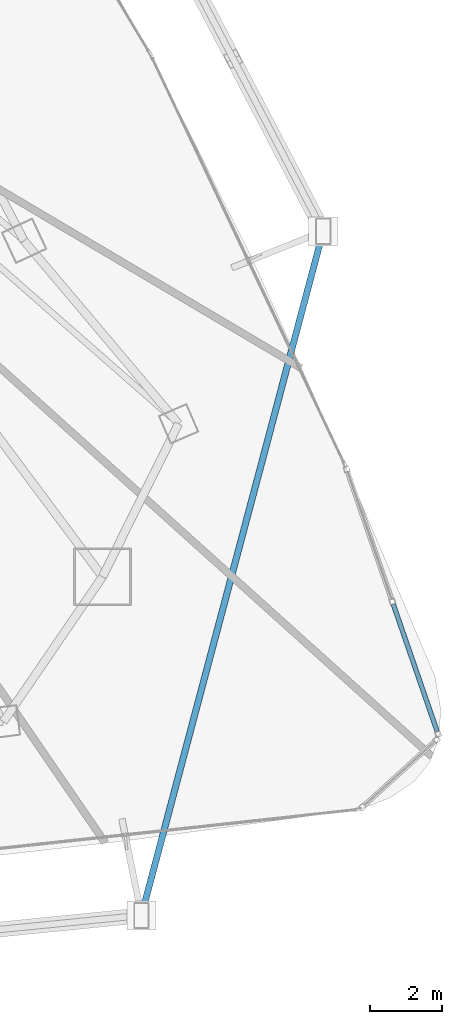
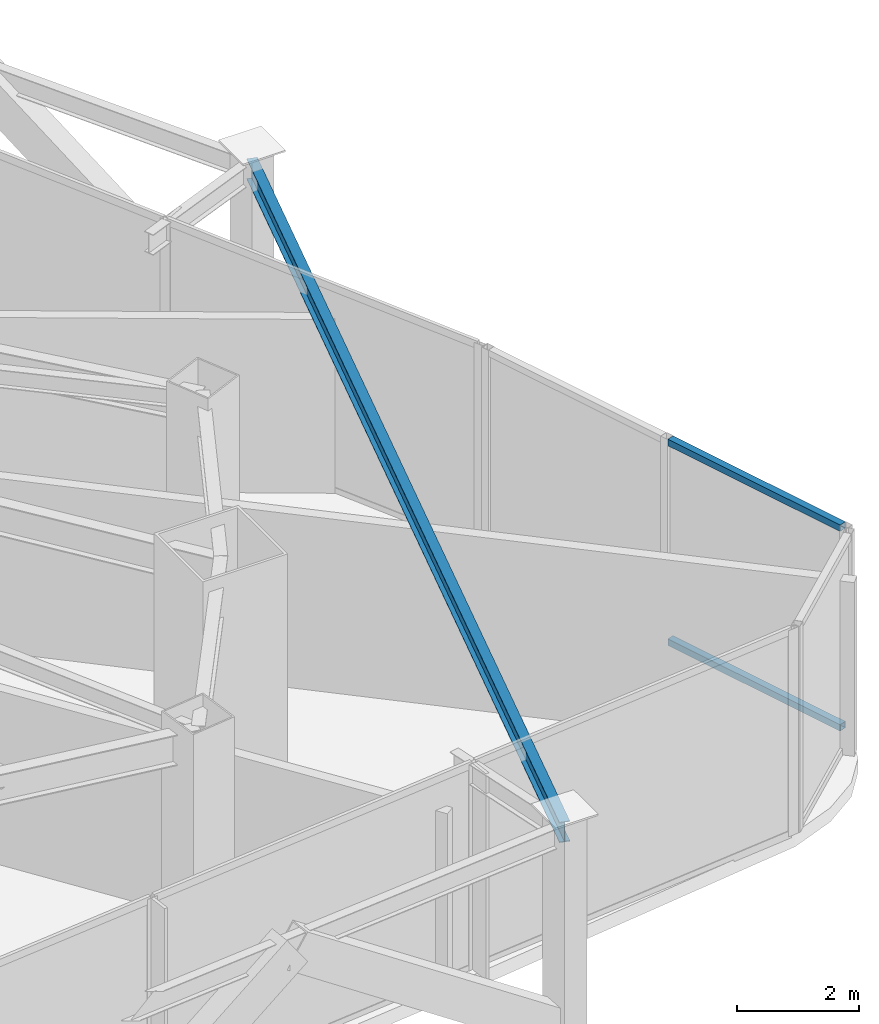
# One storey, part 15 of 33: 2 members, 1 beam, 1 element without a shape of its own.
"""IFC4 building model written with IfcOpenShell, lengths in metres."""

from ifc_helpers import new_model, si_unit, direction, frame, origin, origin_2d, place, context, subcontext, project, spatial, hollow_rectangle, i_section, extrude, material, layer, layer_set, material_profile, profile_set, type_object, element, aggregate, save


model = new_model("IFC4")

# Units and contexts
model_context = context("Model", 3, precision=1e-05, world=origin(), true_north=direction((0.0, 1.0)))
body_context = subcontext(model_context, "Body", "Model", "MODEL_VIEW")
ifc_project = project(units=[si_unit("LENGTHUNIT", "METRE"), si_unit("AREAUNIT", "SQUARE_METRE"), si_unit("VOLUMEUNIT", "CUBIC_METRE"), si_unit("PLANEANGLEUNIT", "RADIAN"), si_unit("MASSUNIT", "GRAM", prefix="KILO")], contexts=[model_context])

# Site, building, storey
site_placement = place(None, origin())
site = spatial("IfcSite", under=ifc_project, at=site_placement, CompositionType="ELEMENT")
building_placement = place(site_placement, origin())
building = spatial("IfcBuilding", under=site, at=building_placement, Name="Orvanel Arch Residences", CompositionType="ELEMENT")
storey_placement = place(building_placement, frame((0.0, 0.0, 59.89990234375)))
storey = spatial("IfcBuildingStorey", under=building, at=storey_placement, Name="L16", CompositionType="ELEMENT", Elevation=59.89990234375)

# Beam
ifc_material_1 = material(Name="Structural steel AS/NZS 3679.1 Grade 300 (300 MPa)", Category="steel")
ifc_material_profile_1 = material_profile(ifc_material_1, i_section(OverallWidth=0.177978515625, OverallDepth=0.406005859375, WebThickness=0.0078125, FlangeThickness=0.0126953125, at=origin_2d()), Name="410UB59.7")
ifc_profile_set_1 = profile_set([ifc_material_profile_1], Name="Structural steel AS/NZS 3679.1 Grade 300 (300 MPa)")
beam_type = type_object("IfcBeamType", Name="OB-410UB-EXT", PredefinedType="SPANDREL", material=ifc_profile_set_1)
beam_placement = place(storey_placement, frame((52.8779296875, 0.985107421875, 3.906982421875), z_axis=(0.256772126196, 0.966471973318, 0.0), x_axis=(-0.966471973318, 0.256772126196, 0.0)))
element("IfcBeam", 1, at=beam_placement, inside=storey, type_object=beam_type, Name="L16 Outer Perimeter Floor Ring Beam 08", PredefinedType="SPANDREL", context=body_context, shape_type="SweptSolid", body=[
    extrude(i_section(OverallWidth=0.177978515625, OverallDepth=0.406005859375, WebThickness=0.0078125, FlangeThickness=0.0126953125, at=origin_2d()), origin(), (0.0, 0.0, 1.0), 19.57421875),
])

# Curtain wall, members
ifc_material_2 = material(Name="Bronze-anodised aluminium AA6063-T6", Category="aluminium")
ifc_layer = layer(ifc_material_2, 0.18994140625)
ifc_layer_set = layer_set([ifc_layer], Name="Bronze-anodised aluminium AA6063-T6")
curtain_wall_type = type_object("IfcCurtainWallType", Name="CW5-CRN-SYS", PredefinedType="NOTDEFINED", material=ifc_layer_set)
curtain_wall_placement = place(storey_placement, origin())
curtain_wall = element("IfcCurtainWall", 2, at=curtain_wall_placement, inside=storey, type_object=curtain_wall_type, Name="L16 CW5-CRN-SYS Unitised Curtain Wall", PredefinedType="NOTDEFINED")
ifc_material_profile_2 = material_profile(ifc_material_2, hollow_rectangle(XDim=0.1298828125, YDim=0.1298828125, WallThickness=0.00439453125, at=origin_2d()), Name="ALU130x130x4.5")
ifc_profile_set_2 = profile_set([ifc_material_profile_2], Name="Bronze-anodised aluminium AA6063-T6")
member_type = type_object("IfcMemberType", Name="TRN-130x130", PredefinedType="USERDEFINED", material=ifc_profile_set_2)
member_1_placement = place(storey_placement, frame((61.05712890625, 6.06982421875, 0.065185546875), z_axis=(-0.326198721829, 0.945301218595, 0.0), x_axis=(-0.945301218595, -0.326198721829, 0.0)))
member_1 = element("IfcMember", 3, at=member_1_placement, type_object=member_type, Name="CW-S5 transom 1.1", ObjectType="TRANSOM", PredefinedType="USERDEFINED", context=body_context, shape_type="SweptSolid", body=[
    extrude(hollow_rectangle(XDim=0.1298828125, YDim=0.1298828125, WallThickness=0.00439453125, at=origin_2d()), origin(), (0.0, 0.0, 1.0), 3.72509765625),
])
member_2_placement = place(storey_placement, frame((61.05712890625, 6.06982421875, 4.045166015625), z_axis=(-0.326198721829, 0.945301218595, 0.0), x_axis=(-0.945301218595, -0.326198721829, 0.0)))
member_2 = element("IfcMember", 4, at=member_2_placement, type_object=member_type, Name="CW-S5 transom 1.2", ObjectType="TRANSOM", PredefinedType="USERDEFINED", context=body_context, shape_type="SweptSolid", body=[
    extrude(hollow_rectangle(XDim=0.1298828125, YDim=0.1298828125, WallThickness=0.00439453125, at=origin_2d()), origin(), (0.0, 0.0, 1.0), 3.72509765625),
])
aggregate(curtain_wall, [member_1, member_2])

save(model, "model.ifc")
